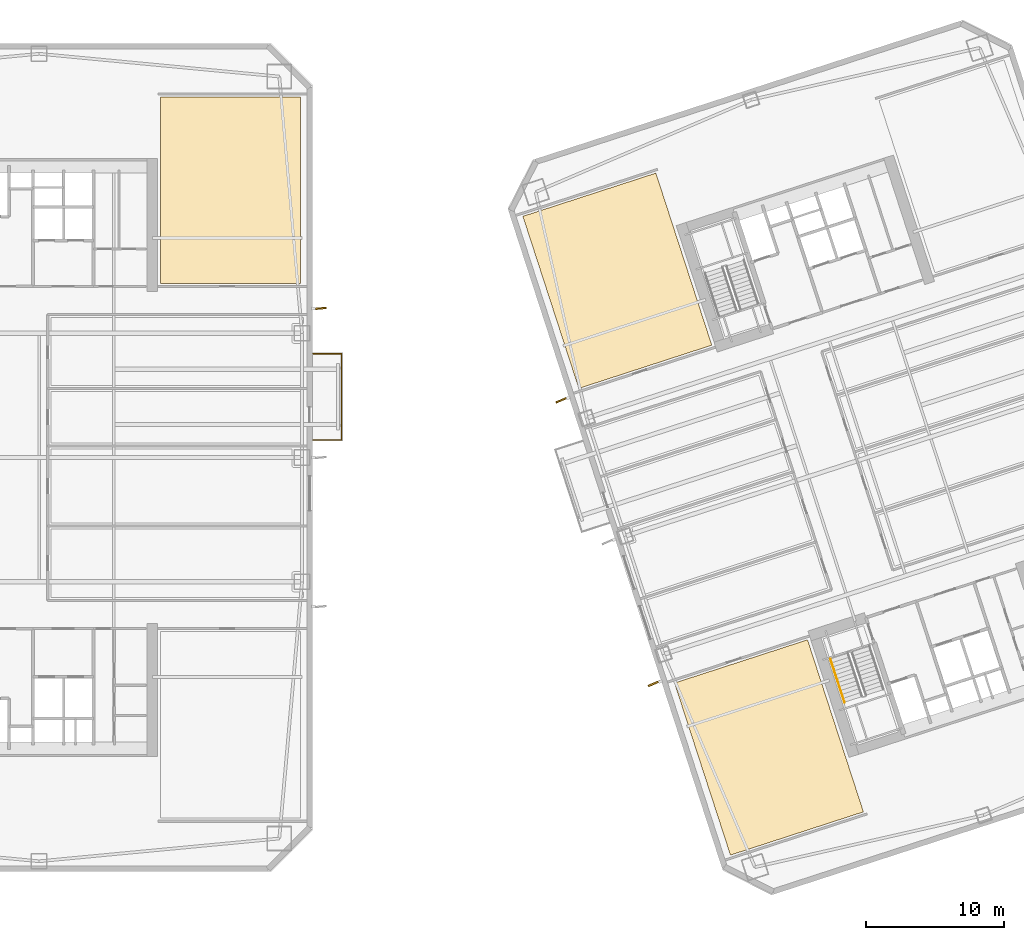
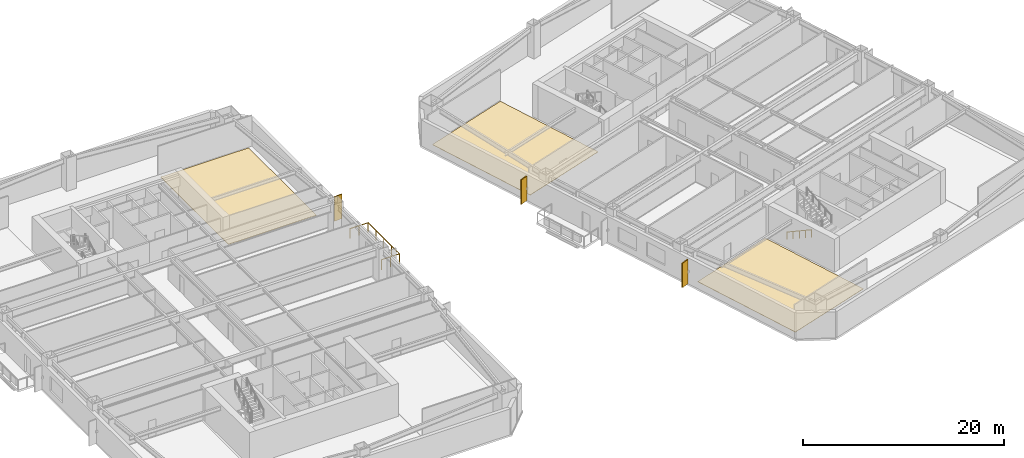
# One storey, part 17 of 21: 3 coverings, 3 shading devices, 2 railings.
"""IFC4 building model written with IfcOpenShell, lengths in metres."""

from ifc_helpers import new_model, si_unit, direction, frame, origin, origin_2d, place, context, subcontext, project, spatial, polyline, rectangle, circle, outline, extrude, material, layer, layer_set, type_object, element, save


model = new_model("IFC4")

# Units and contexts
model_context = context("Model", 3, precision=1e-05, world=origin(), true_north=direction((0.0, 1.0)))
body_context = subcontext(model_context, "Body", "Model", "MODEL_VIEW")
ifc_project = project(units=[si_unit("LENGTHUNIT", "METRE"), si_unit("AREAUNIT", "SQUARE_METRE"), si_unit("VOLUMEUNIT", "CUBIC_METRE"), si_unit("PLANEANGLEUNIT", "RADIAN"), si_unit("MASSUNIT", "GRAM", prefix="KILO")], contexts=[model_context])

# Site, building, storey
site_placement = place(None, origin())
site = spatial("IfcSite", under=ifc_project, at=site_placement, CompositionType="ELEMENT")
building_placement = place(site_placement, origin())
building = spatial("IfcBuilding", under=site, at=building_placement, Name="Qiaolan Cultural Towers", CompositionType="ELEMENT")
storey_placement = place(building_placement, frame((0.0, 0.0, 34.0)))
storey = spatial("IfcBuildingStorey", under=building, at=storey_placement, Name="L07", CompositionType="ELEMENT", Elevation=34.0)

# Coverings
ifc_material_1 = material(Name="Honed Terrazzo & Raised Access Flooring", Category="concrete")
ifc_layer_1 = layer(ifc_material_1, 0.0400390625)
ifc_layer_set_1 = layer_set([ifc_layer_1], Name="Honed Terrazzo & Raised Access Flooring")
covering_type = type_object("IfcCoveringType", Name="COV-FLR-STONE", PredefinedType="FLOORING", material=ifc_layer_set_1)
covering_1_placement = place(storey_placement, origin())
element("IfcCovering", 1, at=covering_1_placement, inside=storey, type_object=covering_type, Name="L07 Corner Gallery Exhibition Room Finish Flooring", PredefinedType="FLOORING", context=body_context, shape_type="SweptSolid", body=[
    extrude(outline(polyline([(48.929931640625, 46.6201171875), (48.929931640625, 60.1298828125), (38.800048828125, 60.1298828125), (38.800048828125, 46.6201171875), (48.929931640625, 46.6201171875)])), origin(), (0.0, 0.0, 1.0), 0.0400390625),
])
covering_2_placement = place(storey_placement, origin())
element("IfcCovering", 2, at=covering_2_placement, inside=storey, type_object=covering_type, Name="L07 Corner Gallery Exhibition Room Finish Flooring", PredefinedType="FLOORING", context=body_context, shape_type="SweptSolid", body=[
    extrude(outline(polyline([(89.7197265625, 8.326904296875), (85.66845703125, 20.795166015625), (76.034423828125, 17.664794921875), (80.08544921875, 5.196533203125), (89.7197265625, 8.326904296875)])), origin(), (0.0, 0.0, 1.0), 0.0400390625),
])
covering_3_placement = place(storey_placement, origin())
element("IfcCovering", 3, at=covering_3_placement, inside=storey, type_object=covering_type, Name="L07 Corner Conservation Studio Finish Flooring", PredefinedType="FLOORING", context=body_context, shape_type="SweptSolid", body=[
    extrude(outline(polyline([(78.734130859375, 42.136962890625), (74.682861328125, 54.605224609375), (65.048828125, 51.474853515625), (69.099853515625, 39.006591796875), (78.734130859375, 42.136962890625)])), origin(), (0.0, 0.0, 1.0), 0.0400390625),
])

# Railings
ifc_material_2 = material(Name="Laminated SentryGlas & Stainless Steel S31608 Balustrade", Category="steel")
railing_type_1 = type_object("IfcRailingType", Name="GRD-TERR-1200", PredefinedType="BALUSTRADE", material=ifc_material_2)
railing_1_placement = place(storey_placement, frame((49.85009765625, 35.280029296875, 0.0)))
element("IfcRailing", 4, at=railing_1_placement, inside=storey, type_object=railing_type_1, Name="L07 T1 Tree Balcony Guardrail E", PredefinedType="BALUSTRADE", context=body_context, shape_type="SweptSolid", body=[
    extrude(circle(Radius=0.02392578125, at=origin_2d()), frame((0.0, 0.0, 1.17578125), z_axis=(1.0, 0.0, 0.0), x_axis=(0.0, 1.0, 0.0)), (0.0, 0.0, 1.0), 2.06982421875),
    extrude(circle(Radius=0.02392578125, at=origin_2d()), frame((2.06982421875, 0.0, 1.17578125), z_axis=(0.0, 1.0, 0.0), x_axis=(-1.0, 0.0, 0.0)), (0.0, 0.0, 1.0), 6.239990234375),
    extrude(circle(Radius=0.02392578125, at=origin_2d()), frame((2.06982421875, 6.239990234375, 1.17578125), z_axis=(-1.0, 0.0, 0.0), x_axis=(0.0, -1.0, 0.0)), (0.0, 0.0, 1.0), 2.06982421875),
    extrude(circle(Radius=0.02099609375, at=origin_2d()), origin(), (0.0, 0.0, 1.0), 1.15185546875),
    extrude(circle(Radius=0.02099609375, at=origin_2d()), frame((1.034912109375, 0.0, 0.0)), (0.0, 0.0, 1.0), 1.15185546875),
    extrude(circle(Radius=0.02099609375, at=origin_2d()), frame((2.06982421875, 0.0, 0.0)), (0.0, 0.0, 1.0), 1.15185546875),
    extrude(circle(Radius=0.02099609375, at=origin_2d()), frame((2.06982421875, 1.56005859375, 0.0)), (0.0, 0.0, 1.0), 1.15185546875),
    extrude(circle(Radius=0.02099609375, at=origin_2d()), frame((2.06982421875, 3.1201171875, 0.0)), (0.0, 0.0, 1.0), 1.15185546875),
    extrude(circle(Radius=0.02099609375, at=origin_2d()), frame((2.06982421875, 4.679931640625, 0.0)), (0.0, 0.0, 1.0), 1.15185546875),
    extrude(circle(Radius=0.02099609375, at=origin_2d()), frame((2.06982421875, 6.239990234375, 0.0)), (0.0, 0.0, 1.0), 1.15185546875),
    extrude(circle(Radius=0.02099609375, at=origin_2d()), frame((1.034912109375, 6.239990234375, 0.0)), (0.0, 0.0, 1.0), 1.15185546875),
    extrude(circle(Radius=0.02099609375, at=origin_2d()), frame((0.0, 6.239990234375, 0.0)), (0.0, 0.0, 1.0), 1.15185546875),
])
ifc_material_3 = material(Name="Stainless Steel S30408 Tubular Handrail", Category="steel")
railing_type_2 = type_object("IfcRailingType", Name="RL-STAIR-HR", PredefinedType="HANDRAIL", material=ifc_material_3)
railing_2_placement = place(storey_placement, frame((87.32763671875, 19.41015625, 0.166748046875)))
element("IfcRailing", 5, at=railing_2_placement, inside=storey, type_object=railing_type_2, Name="L07 ST-E1 stair handrail 1", PredefinedType="HANDRAIL", context=body_context, shape_type="SweptSolid", body=[
    extrude(circle(Radius=0.02392578125, at=origin_2d()), frame((0.0, 0.0, 0.8759765625), z_axis=(0.270140520196, -0.831375721119, 0.485632072336), x_axis=(0.951053095941, 0.309027520945, 0.0)), (0.0, 0.0, 1.0), 3.77490234375),
    extrude(circle(Radius=0.02099609375, at=origin_2d()), origin(), (0.0, 0.0, 1.0), 0.851806640625),
    extrude(circle(Radius=0.02099609375, at=origin_2d()), frame((0.2548828125, -0.78466796875, 0.458251953125)), (0.0, 0.0, 1.0), 0.851806640625),
    extrude(circle(Radius=0.02099609375, at=origin_2d()), frame((0.509765625, -1.5693359375, 0.91650390625)), (0.0, 0.0, 1.0), 0.851806640625),
    extrude(circle(Radius=0.02099609375, at=origin_2d()), frame((0.764892578125, -2.353759765625, 1.375)), (0.0, 0.0, 1.0), 0.851806640625),
    extrude(circle(Radius=0.02099609375, at=origin_2d()), frame((1.019775390625, -3.138427734375, 1.833251953125)), (0.0, 0.0, 1.0), 0.851806640625),
])

# Shading devices
ifc_material_4 = material(Name="Dark Basalt Honed Precast Terracotta Fin", Category="masonry")
ifc_layer_2 = layer(ifc_material_4, 0.1201171875)
ifc_layer_set_2 = layer_set([ifc_layer_2], Name="Dark Basalt Honed Precast Terracotta Fin")
shading_device_type = type_object("IfcShadingDeviceType", Name="SHD-FIN-DARK", PredefinedType="USERDEFINED", material=ifc_layer_set_2)
for number, where, z_axis, x_axis, name in (
    (6, (50.360107421875, 44.800048828125, 0.10009765625), (0.0, 0.0, 1.0), (0.995993912618, 0.089421060319, 0.0), "L07 T1 Expressive Precast Vertical Fin E3"),
    (7, (74.54443359375, 17.622314453125, 0.10009765625), (0.0, 0.0, 1.0), (0.919613873492, 0.392823527404, 0.0), "L07 T2 Expressive Precast Vertical Fin W1"),
    (8, (67.86962890625, 38.165283203125, 0.10009765625), (0.0, 0.0, 1.0), (0.919613873492, 0.392823527404, 0.0), "L07 T2 Expressive Precast Vertical Fin W3"),
):
    element("IfcShadingDevice", number, at=place(storey_placement, frame(where, z_axis=z_axis, x_axis=x_axis)), inside=storey, type_object=shading_device_type, Name=name, ObjectType="FIN", PredefinedType="USERDEFINED", context=body_context, shape_type="SweptSolid", body=[
        extrude(rectangle(XDim=0.89990234375, YDim=0.1201171875, at=origin_2d()), origin(), (0.0, 0.0, 1.0), 2.9599609375),
    ])

save(model, "model.ifc")
